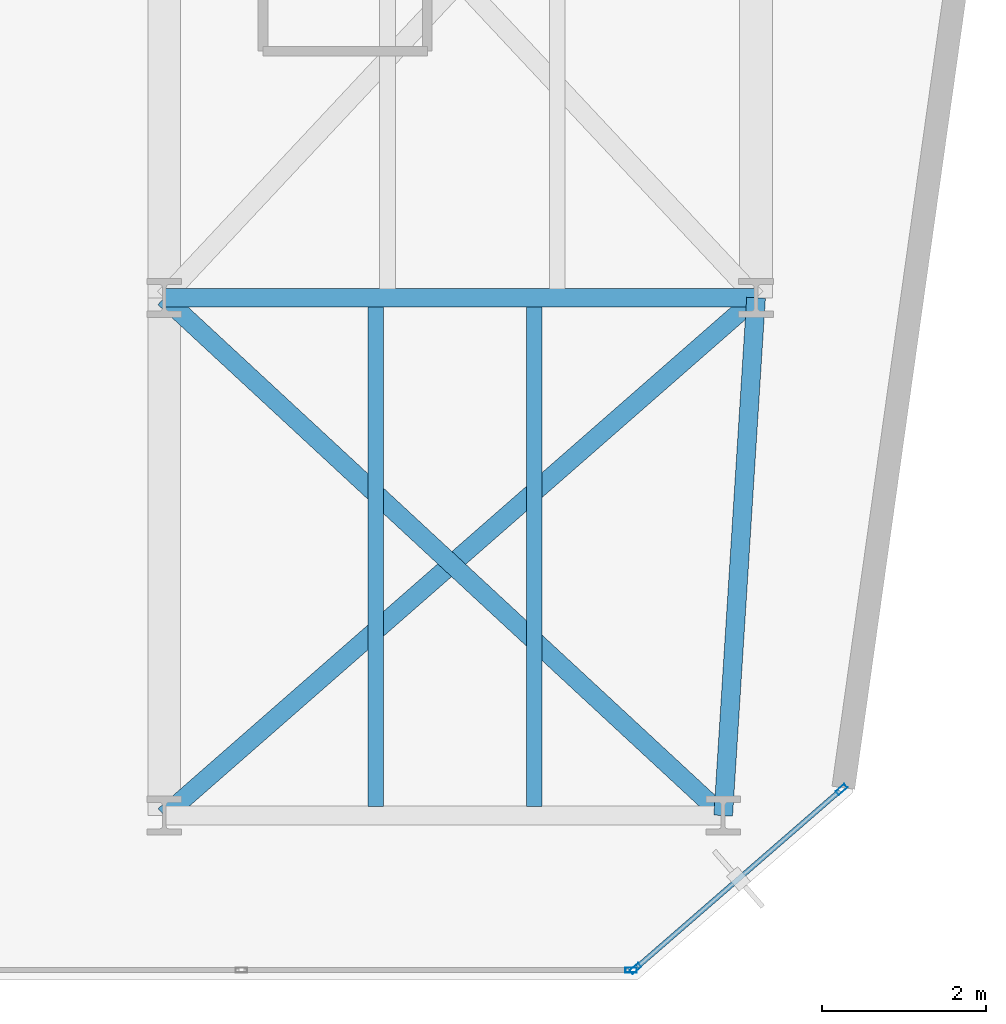
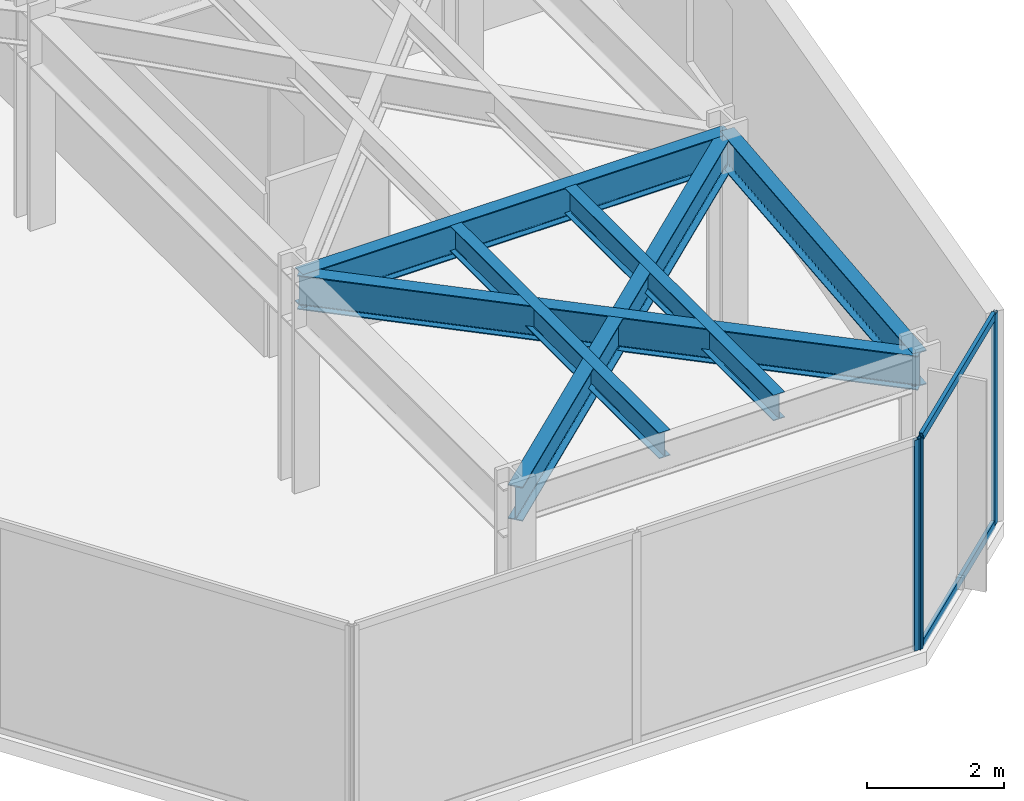
# One storey, part 19 of 26: 6 beams, 5 members, 2 elements without a shape of their own.
"""IFC4 building model written with IfcOpenShell, lengths in metres."""

from ifc_helpers import new_model, si_unit, direction, frame, origin, origin_2d, place, context, subcontext, project, spatial, hollow_rectangle, i_section, extrude, material, layer, layer_set, material_profile, profile_set, type_object, element, aggregate, save


model = new_model("IFC4")

# Units and contexts
model_context = context("Model", 3, precision=1e-05, world=origin(), true_north=direction((0.0, 1.0)))
body_context = subcontext(model_context, "Body", "Model", "MODEL_VIEW")
ifc_project = project(units=[si_unit("LENGTHUNIT", "METRE"), si_unit("AREAUNIT", "SQUARE_METRE"), si_unit("VOLUMEUNIT", "CUBIC_METRE"), si_unit("PLANEANGLEUNIT", "RADIAN"), si_unit("MASSUNIT", "GRAM", prefix="KILO")], contexts=[model_context])

# Site, building, storey
site_placement = place(None, origin())
site = spatial("IfcSite", under=ifc_project, at=site_placement, CompositionType="ELEMENT")
building_placement = place(site_placement, origin())
building = spatial("IfcBuilding", under=site, at=building_placement, Name="Kravanh Interchange Tower", CompositionType="ELEMENT")
storey_placement = place(building_placement, frame((0.0, 0.0, 108.0)))
storey = spatial("IfcBuildingStorey", under=building, at=storey_placement, Name="L25", CompositionType="ELEMENT", Elevation=108.0)

# Curtain wall, members
ifc_material_1 = material(Name="Anodised Bronze Aluminium", Category="aluminium")
ifc_layer = layer(ifc_material_1, 0.179931640625)
ifc_layer_set = layer_set([ifc_layer], Name="Unitised Curtain Wall System CW-Z2 Mid Office")
curtain_wall_type = type_object("IfcCurtainWallType", Name="Unitised Curtain Wall System CW-Z2 Mid Office", PredefinedType="NOTDEFINED", material=ifc_layer_set)
curtain_wall_1_placement = place(storey_placement, origin())
curtain_wall_1 = element("IfcCurtainWall", 1, at=curtain_wall_1_placement, inside=storey, type_object=curtain_wall_type, Name="L25 Unitised Curtain Wall CW-L25-02", PredefinedType="NOTDEFINED")
ifc_material_2 = material(Name="Anodised Bronze Aluminium", Category="aluminium")
ifc_material_profile_1 = material_profile(ifc_material_2, hollow_rectangle(XDim=0.06005859375, YDim=0.139892578125, WallThickness=0.00390625, at=origin_2d()), Name="ALU60X140X4")
ifc_profile_set_1 = profile_set([ifc_material_profile_1], Name="Anodised Bronze Aluminium")
member_type_1 = type_object("IfcMemberType", Name="Curtain Wall Mullion ALU60X140X4 Bronze", PredefinedType="MULLION", material=ifc_profile_set_1)
member_1_placement = place(storey_placement, frame((64.239990234375, 8.51904296875, 0.0), z_axis=(0.0, 0.0, 1.0), x_axis=(0.656047665617, -0.754719458103, 0.0)))
member_1 = element("IfcMember", 2, at=member_1_placement, type_object=member_type_1, Name="CW-Z2 mullion 1", PredefinedType="MULLION", context=body_context, shape_type="SweptSolid", body=[
    extrude(hollow_rectangle(XDim=0.06005859375, YDim=0.139892578125, WallThickness=0.00390625, at=origin_2d()), origin(), (0.0, 0.0, 1.0), 3.75),
])
member_2_placement = place(storey_placement, frame((61.73291015625, 6.339599609375, 0.0), z_axis=(0.0, 0.0, 1.0), x_axis=(0.656047665617, -0.754719458103, 0.0)))
member_2 = element("IfcMember", 3, at=member_2_placement, type_object=member_type_1, Name="CW-Z2 mullion 2", PredefinedType="MULLION", context=body_context, shape_type="SweptSolid", body=[
    extrude(hollow_rectangle(XDim=0.06005859375, YDim=0.139892578125, WallThickness=0.00390625, at=origin_2d()), origin(), (0.0, 0.0, 1.0), 3.75),
])

# Curtain wall, member
curtain_wall_2_placement = place(storey_placement, origin())
curtain_wall_2 = element("IfcCurtainWall", 4, at=curtain_wall_2_placement, inside=storey, type_object=curtain_wall_type, Name="L25 Unitised Curtain Wall CW-L25-03", PredefinedType="NOTDEFINED")
member_3_placement = place(storey_placement, frame((61.68017578125, 6.320068359375, 0.0), z_axis=(0.0, 0.0, 1.0), x_axis=(0.0, -1.0, 0.0)))
member_3 = element("IfcMember", 5, at=member_3_placement, type_object=member_type_1, Name="CW-Z2 mullion 1", PredefinedType="MULLION", context=body_context, shape_type="SweptSolid", body=[
    extrude(hollow_rectangle(XDim=0.06005859375, YDim=0.139892578125, WallThickness=0.00390625, at=origin_2d()), origin(), (0.0, 0.0, 1.0), 3.75),
])
aggregate(curtain_wall_2, [member_3])

# Member
ifc_material_3 = material(Name="Anodised Bronze Aluminium", Category="aluminium")
ifc_material_profile_2 = material_profile(ifc_material_3, hollow_rectangle(XDim=0.06005859375, YDim=0.139892578125, WallThickness=0.00390625, at=origin_2d()), Name="ALU60X140X4")
ifc_profile_set_2 = profile_set([ifc_material_profile_2], Name="Anodised Bronze Aluminium")
member_type_2 = type_object("IfcMemberType", Name="Curtain Wall Transom ALU60X140X4 Bronze", PredefinedType="USERDEFINED", material=ifc_profile_set_2)
member_4_placement = place(storey_placement, frame((64.21728515625, 8.499267578125, 0.030029296875), z_axis=(-0.754742467432, -0.656021194669, 0.0), x_axis=(0.656021194669, -0.754742467432, 0.0)))
member_4 = element("IfcMember", 6, at=member_4_placement, type_object=member_type_2, Name="CW-Z2 transom 1.1", ObjectType="TRANSOM", PredefinedType="USERDEFINED", context=body_context, shape_type="SweptSolid", body=[
    extrude(hollow_rectangle(XDim=0.06005859375, YDim=0.139892578125, WallThickness=0.00390625, at=origin_2d()), origin(), (0.0, 0.0, 1.0), 3.261962890625),
])

member_5_placement = place(storey_placement, frame((64.21728515625, 8.499267578125, 3.719970703125), z_axis=(-0.754742467432, -0.656021194669, 0.0), x_axis=(0.656021194669, -0.754742467432, 0.0)))
member_5 = element("IfcMember", 7, at=member_5_placement, type_object=member_type_2, Name="CW-Z2 transom 1.2", ObjectType="TRANSOM", PredefinedType="USERDEFINED", context=body_context, shape_type="SweptSolid", body=[
    extrude(hollow_rectangle(XDim=0.06005859375, YDim=0.139892578125, WallThickness=0.00390625, at=origin_2d()), origin(), (0.0, 0.0, 1.0), 3.261962890625),
])

aggregate(curtain_wall_1, [member_1, member_2, member_4, member_5])

# Beams
ifc_material_4 = material(Name="Structural Steel S355", Category="steel")
ifc_material_profile_3 = material_profile(ifc_material_4, i_section(OverallWidth=0.18994140625, OverallDepth=0.45703125, WebThickness=0.009033203125, FlangeThickness=0.014404296875, FilletRadius=0.01806640625, at=origin_2d()), Name="W18X50")
ifc_profile_set_3 = profile_set([ifc_material_profile_3], Name="Structural Steel S355")
beam_type_1 = type_object("IfcBeamType", Name="Floor Joist W18X50 Structural Steel S355", PredefinedType="JOIST", material=ifc_profile_set_3)
for number, where, z_axis, x_axis, name in (
    (8, (58.574951171875, 8.30908203125, 3.521484375), (0.0, 1.0, 0.0), (-1.0, 0.0, 0.0), "L25 Secondary Floor Joist 3"),
    (9, (60.5, 8.30908203125, 3.521484375), (0.0, 1.0, 0.0), (-1.0, 0.0, 0.0), "L25 Secondary Floor Joist 4"),
):
    element("IfcBeam", number, at=place(storey_placement, frame(where, z_axis=z_axis, x_axis=x_axis)), inside=storey, type_object=beam_type_1, Name=name, PredefinedType="JOIST", context=body_context, shape_type="SweptSolid", body=[
        extrude(i_section(OverallWidth=0.18994140625, OverallDepth=0.45703125, WebThickness=0.009033203125, FlangeThickness=0.014404296875, FilletRadius=0.01806640625, at=origin_2d()), origin(), (0.0, 0.0, 1.0), 6.08203125),
    ])
ifc_material_5 = material(Name="Structural Steel S355", Category="steel")
ifc_material_profile_4 = material_profile(ifc_material_5, i_section(OverallWidth=0.22802734375, OverallDepth=0.60791015625, WebThickness=0.01123046875, FlangeThickness=0.017333984375, FilletRadius=0.02197265625, at=origin_2d()), Name="W24X76")
ifc_profile_set_4 = profile_set([ifc_material_profile_4], Name="Structural Steel S355")
beam_type_2 = type_object("IfcBeamType", Name="Floor Spandrel W24X76 Structural Steel S355", PredefinedType="SPANDREL", material=ifc_profile_set_4)
beam_1_placement = place(storey_placement, frame((56.0, 8.199951171875, 3.446044921875), z_axis=(0.752571952274, 0.658510027752, 0.0), x_axis=(-0.658510027752, 0.752571952274, 0.0)))
element("IfcBeam", 10, at=beam_1_placement, inside=storey, type_object=beam_type_2, Name="L25 Perimeter Spandrel 97", PredefinedType="SPANDREL", context=body_context, shape_type="SweptSolid", body=[
    extrude(i_section(OverallWidth=0.22802734375, OverallDepth=0.60791015625, WebThickness=0.01123046875, FlangeThickness=0.017333984375, FilletRadius=0.02197265625, at=origin_2d()), origin(), (0.0, 0.0, 1.0), 9.567138671875),
])
beam_2_placement = place(storey_placement, frame((62.800048828125, 8.199951171875, 3.446044921875), z_axis=(0.063348576418, 0.99799146182, 0.0), x_axis=(-0.99799146182, 0.063348576418, 0.0)))
element("IfcBeam", 11, at=beam_2_placement, inside=storey, type_object=beam_type_2, Name="L25 Perimeter Spandrel 98", PredefinedType="SPANDREL", context=body_context, shape_type="SweptSolid", body=[
    extrude(i_section(OverallWidth=0.22802734375, OverallDepth=0.60791015625, WebThickness=0.01123046875, FlangeThickness=0.017333984375, FilletRadius=0.02197265625, at=origin_2d()), origin(), (0.0, 0.0, 1.0), 6.312744140625),
])
beam_3_placement = place(storey_placement, frame((62.800048828125, 8.199951171875, 3.446044921875), z_axis=(-0.733561267923, 0.679623326706, 0.0), x_axis=(-0.679623326706, -0.733561267923, 0.0)))
element("IfcBeam", 12, at=beam_3_placement, inside=storey, type_object=beam_type_2, Name="L25 Perimeter Spandrel 99", PredefinedType="SPANDREL", context=body_context, shape_type="SweptSolid", body=[
    extrude(i_section(OverallWidth=0.22802734375, OverallDepth=0.60791015625, WebThickness=0.01123046875, FlangeThickness=0.017333984375, FilletRadius=0.02197265625, at=origin_2d()), origin(), (0.0, 0.0, 1.0), 9.27001953125),
])
beam_4_placement = place(storey_placement, frame((56.0, 14.5, 3.446044921875), z_axis=(1.0, 0.0, 0.0), x_axis=(0.0, 1.0, 0.0)))
element("IfcBeam", 13, at=beam_4_placement, inside=storey, type_object=beam_type_2, Name="L25 Perimeter Spandrel 103", PredefinedType="SPANDREL", context=body_context, shape_type="SweptSolid", body=[
    extrude(i_section(OverallWidth=0.22802734375, OverallDepth=0.60791015625, WebThickness=0.01123046875, FlangeThickness=0.017333984375, FilletRadius=0.02197265625, at=origin_2d()), origin(), (0.0, 0.0, 1.0), 7.199951171875),
])

save(model, "model.ifc")
